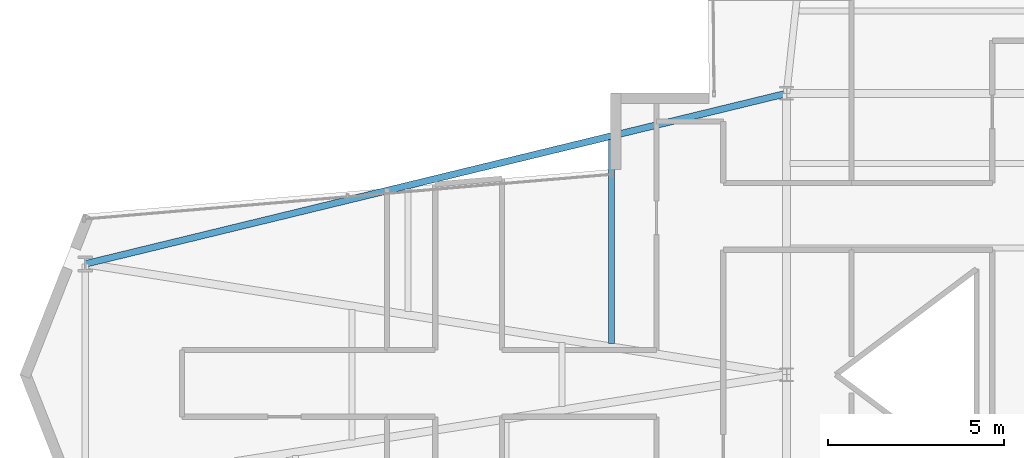
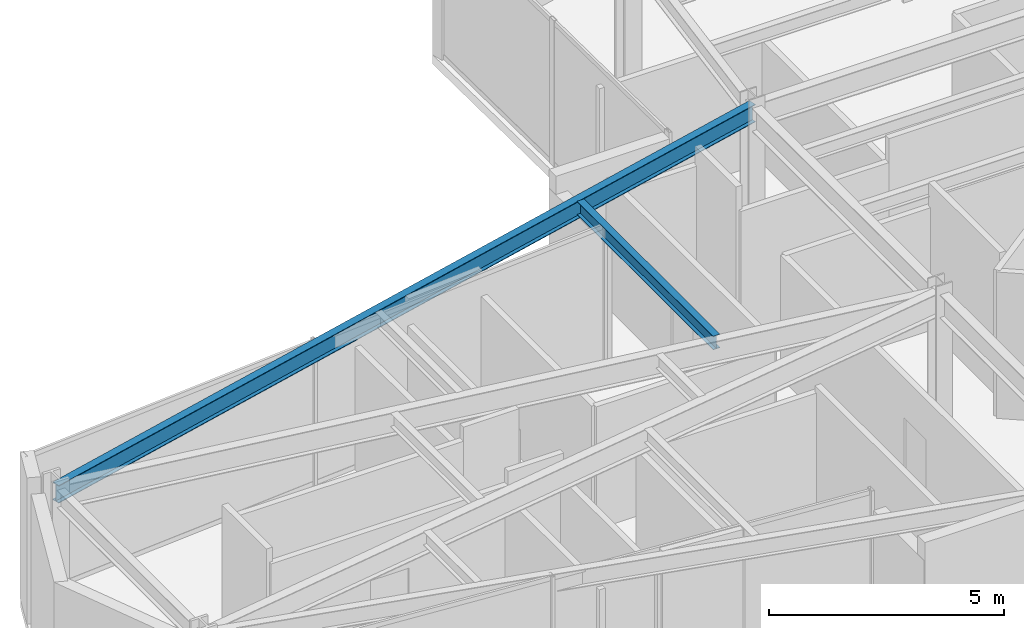
# One storey, part 9 of 25: 2 beams.
"""IFC4 building model written with IfcOpenShell, lengths in metres."""

from ifc_helpers import new_model, si_unit, direction, frame, origin, origin_2d, place, context, subcontext, project, spatial, i_section, extrude, material, material_profile, profile_set, type_object, element, save


model = new_model("IFC4")

# Units and contexts
model_context = context("Model", 3, precision=1e-05, world=origin(), true_north=direction((0.0, 1.0)))
body_context = subcontext(model_context, "Body", "Model", "MODEL_VIEW")
ifc_project = project(units=[si_unit("LENGTHUNIT", "METRE"), si_unit("AREAUNIT", "SQUARE_METRE"), si_unit("VOLUMEUNIT", "CUBIC_METRE"), si_unit("PLANEANGLEUNIT", "RADIAN"), si_unit("MASSUNIT", "GRAM", prefix="KILO")], contexts=[model_context])

# Site, building, storey
site_placement = place(None, origin())
site = spatial("IfcSite", under=ifc_project, at=site_placement, CompositionType="ELEMENT")
building_placement = place(site_placement, origin())
building = spatial("IfcBuilding", under=site, at=building_placement, Name="Veymaron Broadcast Tower", CompositionType="ELEMENT")
storey_placement = place(building_placement, frame((0.0, 0.0, 141.14990234375)))
storey = spatial("IfcBuildingStorey", under=building, at=storey_placement, Name="L32", CompositionType="ELEMENT", Elevation=141.14990234375)

# Beams
ifc_material = material(Name="Structural steel ASTM A992 Gr 50", Category="steel")
ifc_material_profile_1 = material_profile(ifc_material, i_section(OverallWidth=0.1708984375, OverallDepth=0.35498046875, WebThickness=0.007080078125, FlangeThickness=0.01171875, at=origin_2d()), Name="W360X51")
ifc_profile_set_1 = profile_set([ifc_material_profile_1], Name="Structural steel ASTM A992 Gr 50")
beam_type_1 = type_object("IfcBeamType", Name="BM-JS2", PredefinedType="JOIST", material=ifc_profile_set_1)
beam_1_placement = place(storey_placement, frame((26.21240234375, 24.887451171875, 3.632568359375), z_axis=(0.0, 1.0, 0.0), x_axis=(-1.0, 0.0, 0.0)))
element("IfcBeam", 1, at=beam_1_placement, inside=storey, type_object=beam_type_1, Name="L32 Arm-A secondary joist 2N", PredefinedType="JOIST", context=body_context, shape_type="SweptSolid", body=[
    extrude(i_section(OverallWidth=0.1708984375, OverallDepth=0.35498046875, WebThickness=0.007080078125, FlangeThickness=0.01171875, at=origin_2d()), origin(), (0.0, 0.0, 1.0), 5.800048828125),
])
ifc_material_profile_2 = material_profile(ifc_material, i_section(OverallWidth=0.19091796875, OverallDepth=0.4599609375, WebThickness=0.010009765625, FlangeThickness=0.01611328125, at=origin_2d()), Name="W460X82")
ifc_profile_set_2 = profile_set([ifc_material_profile_2], Name="Structural steel ASTM A992 Gr 50")
beam_type_2 = type_object("IfcBeamType", Name="BM-SP1", PredefinedType="SPANDREL", material=ifc_profile_set_2)
beam_2_placement = place(storey_placement, frame((11.25, 27.14990234375, 3.580078125), z_axis=(0.971696602386, 0.236232328251, 0.0), x_axis=(-0.236232328251, 0.971696602386, 0.0)))
element("IfcBeam", 2, at=beam_2_placement, inside=storey, type_object=beam_type_2, Name="L32 primary structural floor girder", PredefinedType="SPANDREL", context=body_context, shape_type="SweptSolid", body=[
    extrude(i_section(OverallWidth=0.19091796875, OverallDepth=0.4599609375, WebThickness=0.010009765625, FlangeThickness=0.01611328125, at=origin_2d()), origin(), (0.0, 0.0, 1.0), 20.531005859375),
])

save(model, "model.ifc")
